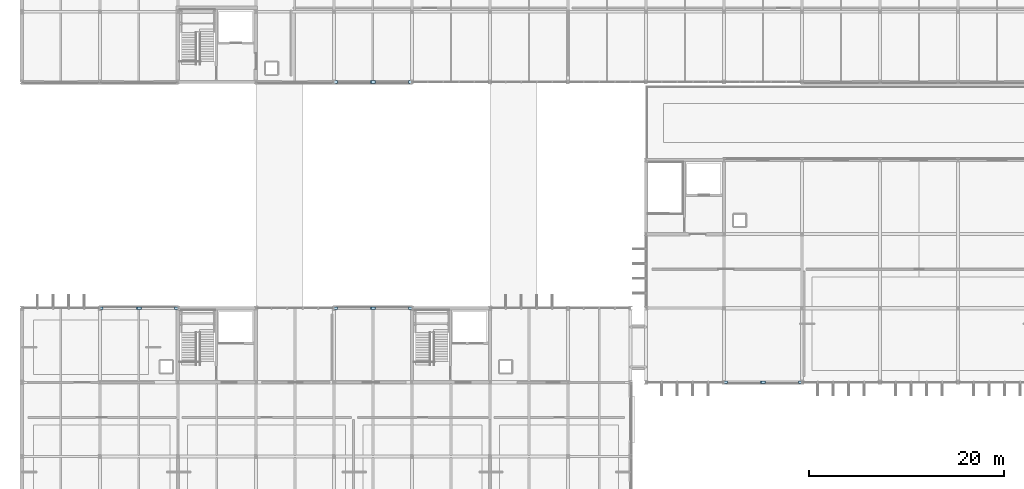
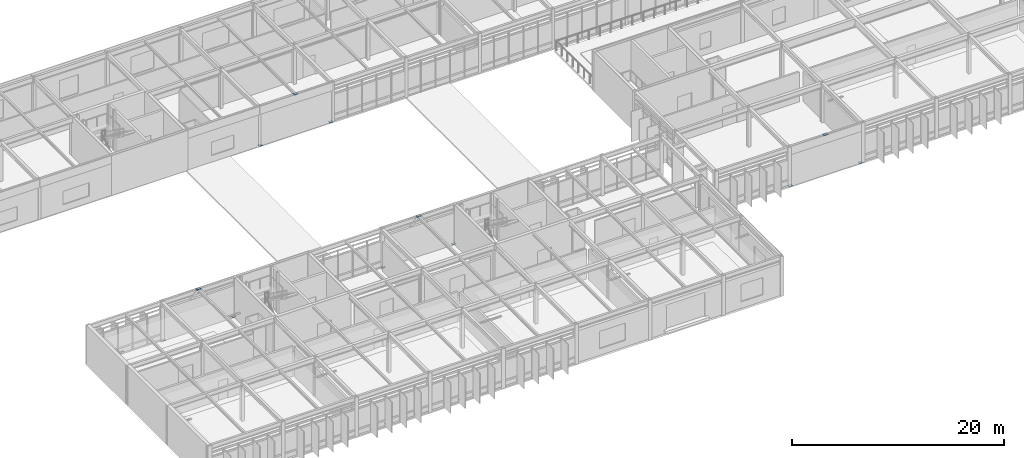
# One storey, part 76 of 100: 16 plates.
"""IFC4 building model written with IfcOpenShell, lengths in metres."""

from ifc_helpers import new_model, si_unit, direction, frame, origin, origin_2d, place, context, subcontext, project, spatial, rectangle, extrude, material, layer, layer_set, type_object, element, save


model = new_model("IFC4")

# Units and contexts
model_context = context("Model", 3, precision=1e-05, world=origin(), true_north=direction((0.0, 1.0)))
body_context = subcontext(model_context, "Body", "Model", "MODEL_VIEW")
ifc_project = project(units=[si_unit("LENGTHUNIT", "METRE"), si_unit("AREAUNIT", "SQUARE_METRE"), si_unit("VOLUMEUNIT", "CUBIC_METRE"), si_unit("PLANEANGLEUNIT", "RADIAN"), si_unit("MASSUNIT", "GRAM", prefix="KILO")], contexts=[model_context])

# Site, building, storey
site_placement = place(None, origin())
site = spatial("IfcSite", under=ifc_project, at=site_placement, CompositionType="ELEMENT")
building_placement = place(site_placement, origin())
building = spatial("IfcBuilding", under=site, at=building_placement, Name="Zulena Civic Courthouse", CompositionType="ELEMENT")
storey_placement = place(building_placement, frame((0.0, 0.0, 20.39990234375)))
storey = spatial("IfcBuildingStorey", under=building, at=storey_placement, Name="L04", CompositionType="ELEMENT", Elevation=20.39990234375)

# Plates
ifc_material = material(Name="Steel ASTM A572 Grade 50", Category="steel")
ifc_layer = layer(ifc_material, 0.02197265625)
ifc_layer_set = layer_set([ifc_layer], Name="Steel ASTM A572 Grade 50")
plate_type = type_object("IfcPlateType", Name="GussetPlate_380x280x22", PredefinedType="SHEET", material=ifc_layer_set)
for number, where, z_axis, x_axis, name in (
    (1, (12.14990234375, 22.800048828125, -0.0009765625), (0.0, 0.0, 1.0), (1.0, 0.0, 0.0), "plate:br:V2:L04:0:0:0"),
    (2, (15.949951171875, 22.800048828125, 4.549072265625), (0.0, 0.0, 1.0), (1.0, 0.0, 0.0), "plate:br:V2:L04:0:0:1"),
    (3, (19.85009765625, 22.800048828125, -0.0009765625), (0.0, 0.0, 1.0), (1.0, 0.0, 0.0), "plate:br:V2:L04:0:1:0"),
    (4, (16.050048828125, 22.800048828125, 4.549072265625), (0.0, 0.0, 1.0), (1.0, 0.0, 0.0), "plate:br:V2:L04:0:1:1"),
    (5, (36.14990234375, 22.800048828125, -0.0009765625), (0.0, 0.0, 1.0), (1.0, 0.0, 0.0), "plate:br:V2:L04:1:0:0"),
    (6, (39.949951171875, 22.800048828125, 4.549072265625), (0.0, 0.0, 1.0), (1.0, 0.0, 0.0), "plate:br:V2:L04:1:0:1"),
    (7, (43.85009765625, 22.800048828125, -0.0009765625), (0.0, 0.0, 1.0), (1.0, 0.0, 0.0), "plate:br:V2:L04:1:1:0"),
    (8, (40.050048828125, 22.800048828125, 4.549072265625), (0.0, 0.0, 1.0), (1.0, 0.0, 0.0), "plate:br:V2:L04:1:1:1"),
    (9, (76.14990234375, 15.199951171875, -0.0009765625), (0.0, 0.0, 1.0), (1.0, 0.0, 0.0), "plate:br:V4:L04:4:0:0"),
    (10, (79.949951171875, 15.199951171875, 4.549072265625), (0.0, 0.0, 1.0), (1.0, 0.0, 0.0), "plate:br:V4:L04:4:0:1"),
    (11, (83.85009765625, 15.199951171875, -0.0009765625), (0.0, 0.0, 1.0), (1.0, 0.0, 0.0), "plate:br:V4:L04:4:1:0"),
    (12, (80.050048828125, 15.199951171875, 4.549072265625), (0.0, 0.0, 1.0), (1.0, 0.0, 0.0), "plate:br:V4:L04:4:1:1"),
    (13, (36.14990234375, 46.0, -0.0009765625), (0.0, 0.0, 1.0), (1.0, 0.0, 0.0), "plate:br:V5:L04:5:0:0"),
    (14, (39.949951171875, 46.0, 4.549072265625), (0.0, 0.0, 1.0), (1.0, 0.0, 0.0), "plate:br:V5:L04:5:0:1"),
    (15, (43.85009765625, 46.0, -0.0009765625), (0.0, 0.0, 1.0), (1.0, 0.0, 0.0), "plate:br:V5:L04:5:1:0"),
    (16, (40.050048828125, 46.0, 4.549072265625), (0.0, 0.0, 1.0), (1.0, 0.0, 0.0), "plate:br:V5:L04:5:1:1"),
):
    element("IfcPlate", number, at=place(storey_placement, frame(where, z_axis=z_axis, x_axis=x_axis)), inside=storey, type_object=plate_type, Name=name, PredefinedType="SHEET", context=body_context, shape_type="SweptSolid", body=[
        extrude(rectangle(XDim=0.3798828125, YDim=0.280029296875, at=origin_2d()), origin(), (0.0, 0.0, 1.0), 0.02197265625),
    ])

save(model, "model.ifc")
